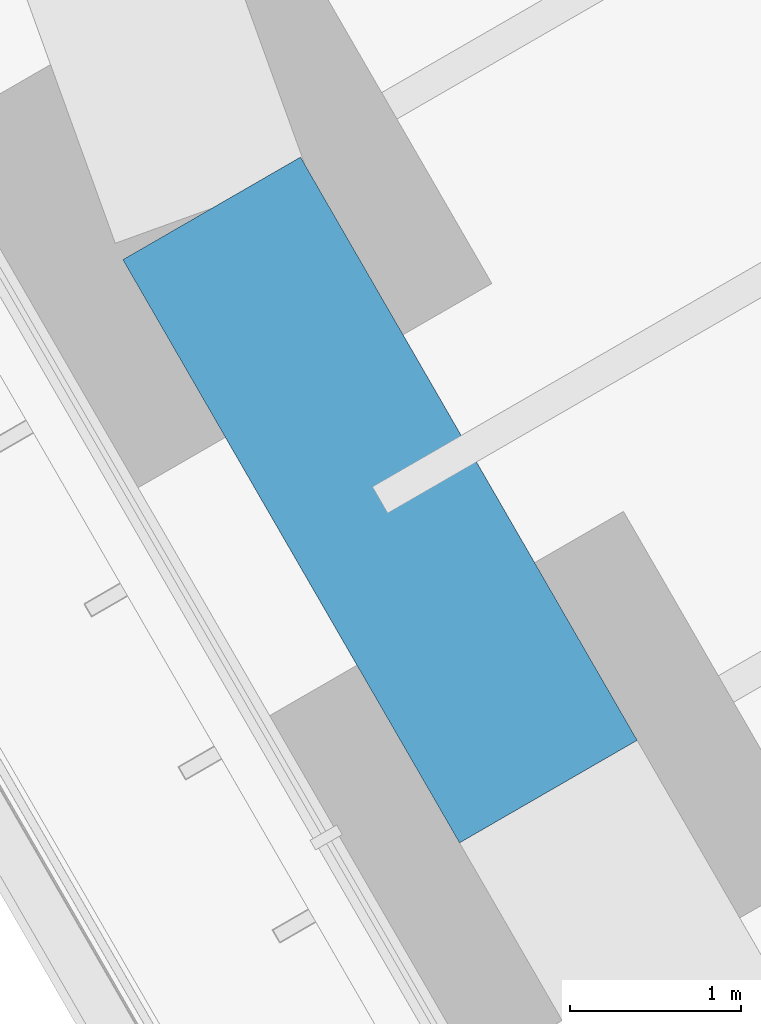
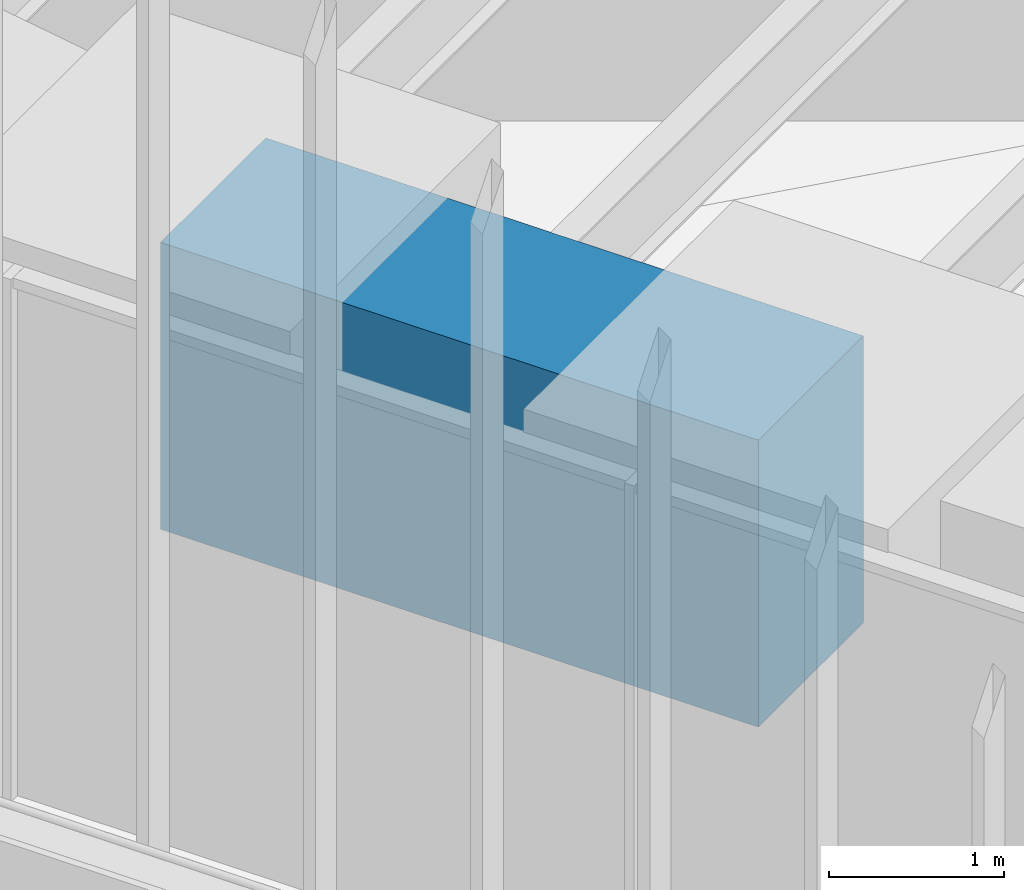
# One storey, part 55 of 238: 1 beam.
"""IFC4 building model written with IfcOpenShell, lengths in metres."""

import ifcopenshell
import ifcopenshell.guid

model = None  # the IFC model being written
_history = None  # IfcOwnerHistory: only IFC2X3 demands one
_inside = {}  # id of a spatial element -> (the spatial element, [elements in it])
_under = {}  # id of a project, library or spatial element -> (it, [spatial elements below it])
_declared = {}  # id of a project -> (the project, [libraries it declares])
_typed = {}  # id of a type object -> (the type object, [elements of that type])
_made_of = {}  # id of a material, layer set ... -> (it, [elements and type objects made of it])


def new_model(schema):
    """Start an empty IFC model of exactly this schema.

    Asked for "IFC4X3", IfcOpenShell would pick the latest addendum, in which some entities
    have other attributes; the version numbers below select the first issue.
    IFC2X3 requires an IfcOwnerHistory on every rooted entity: one is made here for all.
    """
    global model, _history
    if schema == "IFC4X3":
        model = ifcopenshell.file(schema_version=(4, 3, 0, 0))
    else:
        model = ifcopenshell.file(schema=schema)
    _inside.clear()
    _under.clear()
    _declared.clear()
    _typed.clear()
    _made_of.clear()
    _history = None
    if model.schema == "IFC2X3":
        org = make("IfcOrganization", Name="unknown")
        user = make(
            "IfcPersonAndOrganization",
            ThePerson=make("IfcPerson", FamilyName="unknown"),
            TheOrganization=org,
        )
        app = make(
            "IfcApplication",
            ApplicationDeveloper=org,
            Version="unknown",
            ApplicationFullName="unknown",
            ApplicationIdentifier="unknown",
        )
        _history = make(
            "IfcOwnerHistory",
            OwningUser=user,
            OwningApplication=app,
            ChangeAction="ADDED",
            CreationDate=0,
        )
    return model


def make(cls, **values):
    """One entity of the class cls with the attributes given. An attribute that is None is left unset."""
    return model.create_entity(
        cls, **{name: value for name, value in values.items() if value is not None}
    )


def rooted(cls, **values):
    """An entity with a GlobalId (a new one), such as an element, a storey or a relation."""
    return make(cls, GlobalId=ifcopenshell.guid.new(), OwnerHistory=_history, **values)


def si_unit(unit_type, name, prefix=None):
    """IfcSIUnit, for example si_unit("LENGTHUNIT", "METRE", prefix="MILLI")."""
    return make("IfcSIUnit", UnitType=unit_type, Prefix=prefix, Name=name)


def assignment(units):
    """IfcUnitAssignment: the units of a project."""
    return None if units is None else make("IfcUnitAssignment", Units=units)


def point(xyz):
    """IfcCartesianPoint."""
    return None if xyz is None else make("IfcCartesianPoint", Coordinates=xyz)


def direction(xyz):
    """IfcDirection."""
    return None if xyz is None else make("IfcDirection", DirectionRatios=xyz)


def frame(location, z_axis=None, x_axis=None):
    """IfcAxis2Placement3D, a coordinate frame: its origin and axes. An axis left out is left unset."""
    return make(
        "IfcAxis2Placement3D",
        Location=point(location),
        Axis=direction(z_axis),
        RefDirection=direction(x_axis),
    )


def frame_2d(location, x_axis=None):
    """IfcAxis2Placement2D, a coordinate frame in the plane: its origin and x axis."""
    return make(
        "IfcAxis2Placement2D", Location=point(location), RefDirection=direction(x_axis)
    )


def origin():
    """The frame at (0, 0, 0) with its axes left unset."""
    return frame((0.0, 0.0, 0.0))


def origin_2d():
    """The frame at (0, 0) in the plane with its x axis left unset."""
    return frame_2d((0.0, 0.0))


def place(relative_to, where):
    """IfcLocalPlacement: puts the frame where relative to a parent placement (None: the world)."""
    return make(
        "IfcLocalPlacement", PlacementRelTo=relative_to, RelativePlacement=where
    )


def context(
    kind, dimensions, precision=None, world=None, true_north=None, identifier=None
):
    """IfcGeometricRepresentationContext, for example the 3D "Model" context."""
    return make(
        "IfcGeometricRepresentationContext",
        ContextIdentifier=identifier,
        ContextType=kind,
        CoordinateSpaceDimension=dimensions,
        Precision=precision,
        WorldCoordinateSystem=world,
        TrueNorth=true_north,
    )


def subcontext(parent, identifier, kind, view, scale=None):
    """IfcGeometricRepresentationSubContext, for example "Body" below "Model"."""
    return make(
        "IfcGeometricRepresentationSubContext",
        ContextIdentifier=identifier,
        ContextType=kind,
        ParentContext=parent,
        TargetScale=scale,
        TargetView=view,
    )


def project(units=None, contexts=None):
    """IfcProject with its units and contexts."""
    return rooted(
        "IfcProject",
        Name="project",
        RepresentationContexts=contexts,
        UnitsInContext=assignment(units),
    )


def spatial(cls, under=None, at=None, **own):
    """A site, building, storey or space (cls), placed at a placement, below another one or the project."""
    s = rooted(cls, ObjectPlacement=at, **own)
    if under is not None:
        _under.setdefault(under.id(), (under, []))[1].append(s)
    return s


def profile(cls, at=None, kind="AREA", **sizes):
    """A parametric profile (cls). Its sizes go by their IFC names, for example OverallWidth=200.0."""
    return make(cls, ProfileType=kind, Position=at, **sizes)


def rectangle(**sizes):
    """IfcRectangleProfileDef."""
    return profile("IfcRectangleProfileDef", **sizes)


def extrude(swept, where, along, depth):
    """IfcExtrudedAreaSolid: the profile swept, set in the frame where, extruded along a direction by depth."""
    return make(
        "IfcExtrudedAreaSolid",
        SweptArea=swept,
        Position=where,
        ExtrudedDirection=direction(along),
        Depth=depth,
    )


def shape(context_of_items, identifier, shape_type, items):
    """IfcShapeRepresentation: the items that make up one representation, for example the "Body"."""
    return make(
        "IfcShapeRepresentation",
        ContextOfItems=context_of_items,
        RepresentationIdentifier=identifier,
        RepresentationType=shape_type,
        Items=items,
    )


def material(Name=None, Category=None):
    """IfcMaterial."""
    return make("IfcMaterial", Name=Name, Category=Category)


def material_profile(
    of_material, cross_section, Name=None, Category=None, Priority=None
):
    """IfcMaterialProfile: a cross section and its material."""
    return make(
        "IfcMaterialProfile",
        Name=Name,
        Material=of_material,
        Profile=cross_section,
        Priority=Priority,
        Category=Category,
    )


def profile_set(profiles, Name=None, composite=None):
    """IfcMaterialProfileSet."""
    return make(
        "IfcMaterialProfileSet",
        Name=Name,
        MaterialProfiles=profiles,
        CompositeProfile=composite,
    )


def made_of(thing, what):
    """Note that an element or type object is made of a material, layer set ...; save() writes the relation."""
    if what is not None:
        _made_of.setdefault(what.id(), (what, []))[1].append(thing)
    return thing


def type_object(cls, material=None, **own):
    """A type object (cls), such as IfcWallType, which elements share."""
    return made_of(rooted(cls, **own), material)


def element(
    cls,
    number,
    at=None,
    inside=None,
    cuts=None,
    type_object=None,
    material=None,
    context=None,
    identifier="Body",
    shape_type=None,
    held_by="IfcProductDefinitionShape",
    body=None,
    shapes=None,
    **own,
):
    """One element of the class cls, such as IfcWall. Its Tag is "e" and its number.

    at: its placement. inside: the storey or other place that contains it. cuts: it is an
    opening in that element (IfcRelVoidsElement). A single representation is given by context,
    identifier, shape_type and body (its items); several are given by shapes. held_by: the class
    of the entity that holds the representations. save() writes the other relations.
    """
    e = rooted(cls, Tag="e%d" % number, ObjectPlacement=at, **own)
    if body is not None:
        shapes = [shape(context, identifier, shape_type, body)]
    if shapes is not None:
        e.Representation = make(held_by, Representations=shapes)
    if inside is not None:
        _inside.setdefault(inside.id(), (inside, []))[1].append(e)
    if cuts is not None:
        rooted(
            "IfcRelVoidsElement", RelatingBuildingElement=cuts, RelatedOpeningElement=e
        )
    if type_object is not None:
        _typed.setdefault(type_object.id(), (type_object, []))[1].append(e)
    return made_of(e, material)


def aggregate(whole, parts):
    """IfcRelAggregates: a whole, such as a stair, and the parts it consists of."""
    return rooted("IfcRelAggregates", RelatingObject=whole, RelatedObjects=parts)


def save(model, path):
    """Write the relations noted so far, then the file.

    IfcRelAggregates (storeys below a building ...), IfcRelContainedInSpatialStructure (elements
    in a storey), IfcRelDefinesByType, IfcRelAssociatesMaterial and IfcRelDeclares: one each for
    every whole, place, type object, material and project.
    """
    for whole, parts in _under.values():
        aggregate(whole, parts)
    for where, things in _inside.values():
        rooted(
            "IfcRelContainedInSpatialStructure",
            RelatedElements=things,
            RelatingStructure=where,
        )
    for kind, things in _typed.values():
        rooted("IfcRelDefinesByType", RelatedObjects=things, RelatingType=kind)
    for what, things in _made_of.values():
        rooted("IfcRelAssociatesMaterial", RelatedObjects=things, RelatingMaterial=what)
    for by, libraries in _declared.values():
        rooted("IfcRelDeclares", RelatingContext=by, RelatedDefinitions=libraries)
    model.write(path)


model = new_model("IFC4")

# Units and contexts
model_context = context("Model", 3, precision=1e-05, world=origin(), true_north=direction((0.0, 1.0)))
body_context = subcontext(model_context, "Body", "Model", "MODEL_VIEW")
ifc_project = project(units=[si_unit("LENGTHUNIT", "METRE"), si_unit("AREAUNIT", "SQUARE_METRE"), si_unit("VOLUMEUNIT", "CUBIC_METRE"), si_unit("PLANEANGLEUNIT", "RADIAN"), si_unit("MASSUNIT", "GRAM", prefix="KILO")], contexts=[model_context])

# Site, building, storey
site_placement = place(None, origin())
site = spatial("IfcSite", under=ifc_project, at=site_placement, CompositionType="ELEMENT")
building_placement = place(site_placement, origin())
building = spatial("IfcBuilding", under=site, at=building_placement, Name="Sandreach Pilgrim Tower", CompositionType="ELEMENT")
storey_placement = place(building_placement, frame((0.0, 0.0, 96.800048828125)))
storey = spatial("IfcBuildingStorey", under=building, at=storey_placement, Name="L23", CompositionType="ELEMENT", Elevation=96.800048828125)

# Beam
ifc_material = material(Name="Concrete 10000 psi", Category="concrete")
ifc_material_profile = material_profile(ifc_material, rectangle(XDim=1.199951171875, YDim=2.0, at=origin_2d()), Name="RC1200X2000")
ifc_profile_set = profile_set([ifc_material_profile], Name="Concrete 10000 psi")
beam_type = type_object("IfcBeamType", Name="Spandrel beam RC1200X2000", PredefinedType="SPANDREL", material=ifc_profile_set)
beam_placement = place(storey_placement, frame((-23.31396484375, -2.086669921875, 2.639892578125), z_axis=(-0.49999779889, 0.866026674592, 0.0), x_axis=(-0.866026674592, -0.49999779889, 0.0)))
element("IfcBeam", 1, at=beam_placement, inside=storey, type_object=beam_type, Name="BM L23 SP33", PredefinedType="SPANDREL", context=body_context, shape_type="SweptSolid", body=[
    extrude(rectangle(XDim=1.199951171875, YDim=2.0, at=origin_2d()), origin(), (0.0, 0.0, 1.0), 3.93994140625),
])

save(model, "model.ifc")
